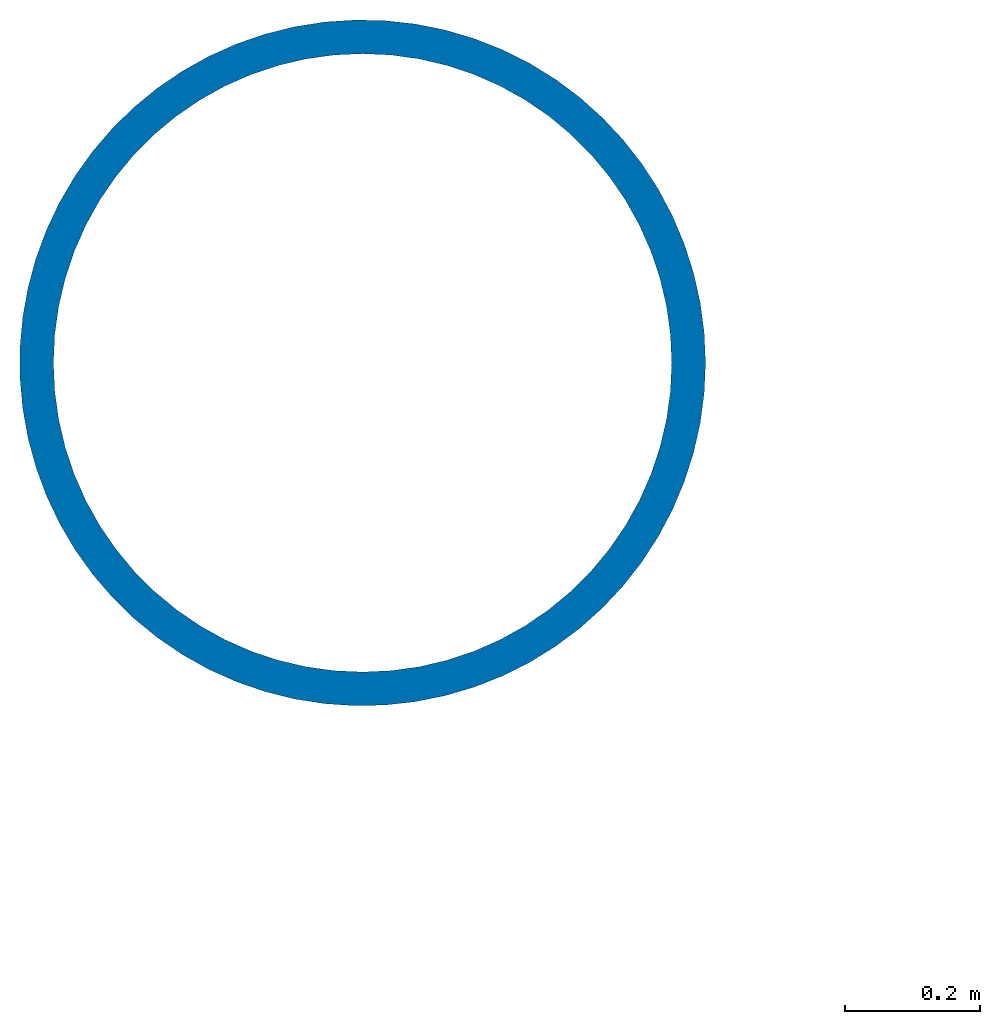
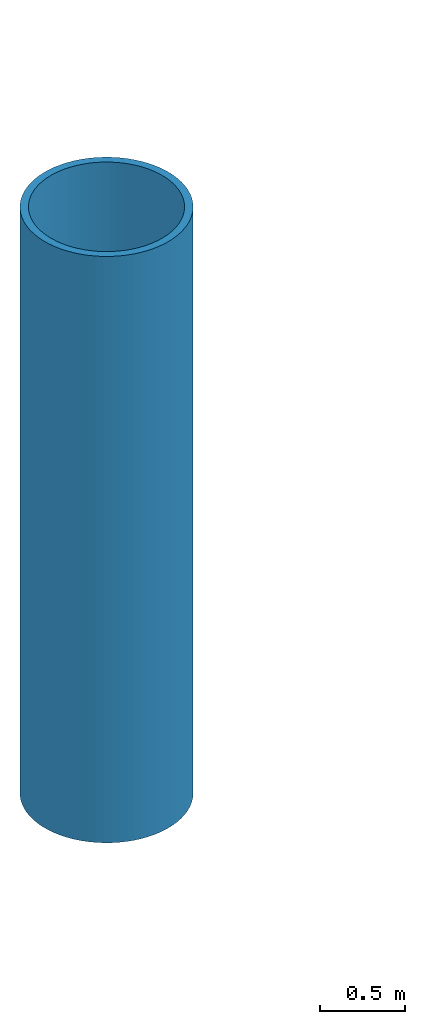
# One storey, part 5 of 21: 1 column.
"""IFC4 building model written with IfcOpenShell, lengths in metres."""

from ifc_helpers import new_model, si_unit, direction, frame, origin, origin_2d, place, context, subcontext, project, spatial, hollow_circle, extrude, material, material_profile, profile_set, type_object, element, save


model = new_model("IFC4")

# Units and contexts
model_context = context("Model", 3, precision=1e-05, world=origin(), true_north=direction((0.0, 1.0)))
body_context = subcontext(model_context, "Body", "Model", "MODEL_VIEW")
ifc_project = project(units=[si_unit("LENGTHUNIT", "METRE"), si_unit("AREAUNIT", "SQUARE_METRE"), si_unit("VOLUMEUNIT", "CUBIC_METRE"), si_unit("PLANEANGLEUNIT", "RADIAN"), si_unit("MASSUNIT", "GRAM", prefix="KILO")], contexts=[model_context])

# Site, building, storey
site_placement = place(None, origin())
site = spatial("IfcSite", under=ifc_project, at=site_placement, CompositionType="ELEMENT")
building_placement = place(site_placement, origin())
building = spatial("IfcBuilding", under=site, at=building_placement, Name="Cresset Court Congress Hotel", CompositionType="ELEMENT")
storey_placement = place(building_placement, frame((0.0, 0.0, 22.800048828125)))
storey = spatial("IfcBuildingStorey", under=building, at=storey_placement, Name="L05", CompositionType="ELEMENT", Elevation=22.800048828125)

# Column
ifc_material = material(Name="Structural steel Q355B", Category="steel")
ifc_material_profile = material_profile(ifc_material, hollow_circle(Radius=0.508056640625, WallThickness=0.050048828125, at=origin_2d()), Name="CHS1016x50")
ifc_profile_set = profile_set([ifc_material_profile], Name="Structural steel Q355B")
column_type = type_object("IfcColumnType", Name="Mast tube 1016x50", PredefinedType="COLUMN", material=ifc_profile_set)
column_placement = place(storey_placement, frame((55.800048828125, 120.60009765625, 0.0), z_axis=(0.0, 0.0, 1.0), x_axis=(1.0, 0.0, 0.0)))
element("IfcColumn", 1, at=column_placement, inside=storey, type_object=column_type, Name="Mast M4", PredefinedType="COLUMN", context=body_context, shape_type="SweptSolid", body=[
    extrude(hollow_circle(Radius=0.508056640625, WallThickness=0.050048828125, at=origin_2d()), origin(), (0.0, 0.0, 1.0), 4.199951171875),
])

save(model, "model.ifc")
